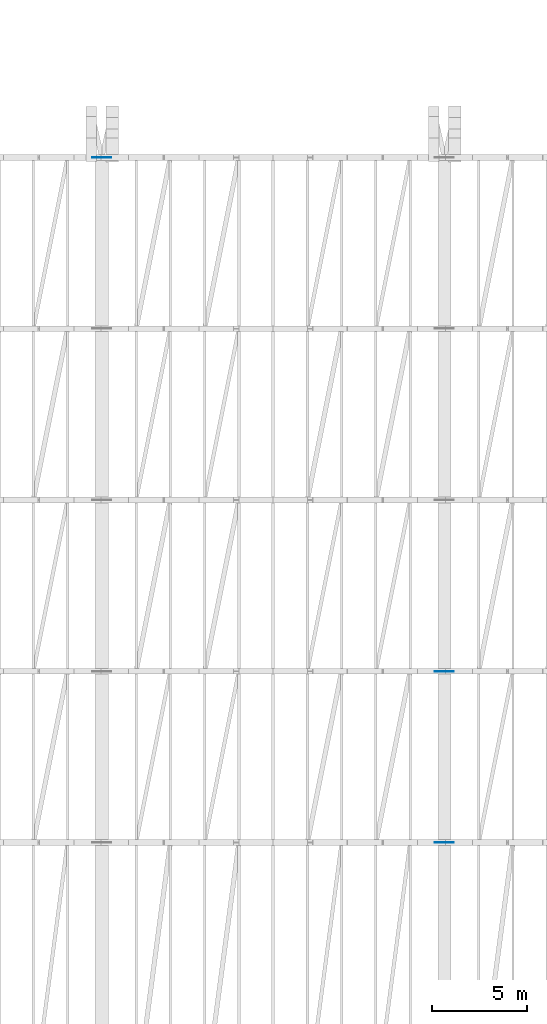
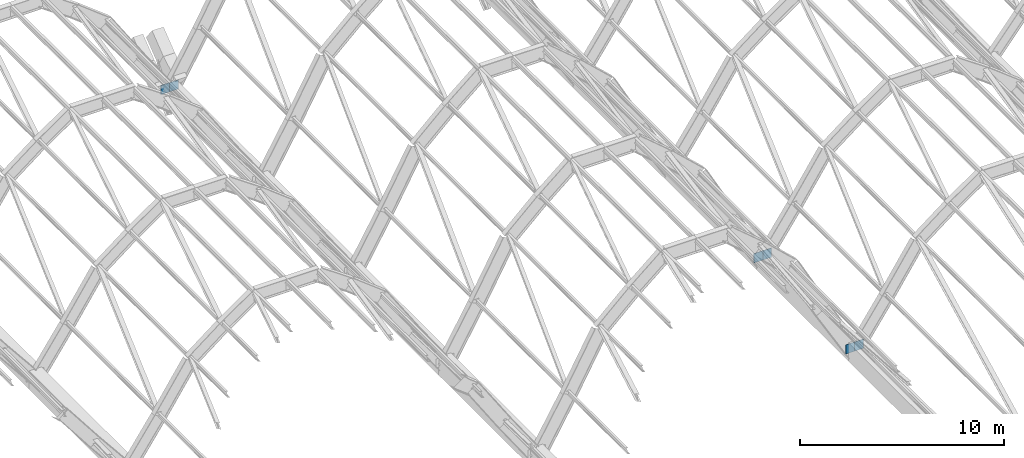
# One storey, part 72 of 86: 6 plates.
"""IFC4 building model written with IfcOpenShell, lengths in metres."""

from ifc_helpers import new_model, si_unit, direction, frame, origin, origin_2d, place, context, subcontext, project, spatial, rectangle, extrude, material, layer, layer_set, type_object, element, save


model = new_model("IFC4")

# Units and contexts
model_context = context("Model", 3, precision=1e-05, world=origin(), true_north=direction((0.0, 1.0)))
body_context = subcontext(model_context, "Body", "Model", "MODEL_VIEW")
ifc_project = project(units=[si_unit("LENGTHUNIT", "METRE"), si_unit("AREAUNIT", "SQUARE_METRE"), si_unit("VOLUMEUNIT", "CUBIC_METRE"), si_unit("PLANEANGLEUNIT", "RADIAN"), si_unit("MASSUNIT", "GRAM", prefix="KILO")], contexts=[model_context])

# Site, building, storey
site_placement = place(None, origin())
site = spatial("IfcSite", under=ifc_project, at=site_placement, CompositionType="ELEMENT")
building_placement = place(site_placement, origin())
building = spatial("IfcBuilding", under=site, at=building_placement, Name="Chuanluo Vaults Station", CompositionType="ELEMENT")
storey_placement = place(building_placement, frame((0.0, 0.0, 14.39990234375)))
storey = spatial("IfcBuildingStorey", under=building, at=storey_placement, Name="L03", CompositionType="ELEMENT", Elevation=14.39990234375)

# Plates
ifc_material = material(Name="Steel Q390C", Category="steel")
ifc_layer = layer(ifc_material, 0.028076171875)
ifc_layer_set = layer_set([ifc_layer], Name="Steel Q390C")
plate_type = type_object("IfcPlateType", Name="PLT-GUS-28", PredefinedType="USERDEFINED", material=ifc_layer_set)
for number, where, z_axis, x_axis, name in (
    (1, (53.75, 103.5, -0.875), (0.0, 0.0, 1.0), (1.0, 0.0, 0.0), "Vault V3 skewback node plate 9-E"),
    (2, (71.75, 67.5, -0.875), (0.0, 0.0, 1.0), (1.0, 0.0, 0.0), "Vault V4 skewback node plate 5-E"),
    (3, (71.75, 76.5, -0.875), (0.0, 0.0, 1.0), (1.0, 0.0, 0.0), "Vault V4 skewback node plate 6-E"),
    (4, (54.25, 103.5, -0.875), (0.0, 0.0, 1.0), (1.0, 0.0, 0.0), "Vault V4 skewback node plate 9-W"),
    (5, (72.25, 67.5, -0.875), (0.0, 0.0, 1.0), (1.0, 0.0, 0.0), "Vault V5 skewback node plate 5-W"),
    (6, (72.25, 76.5, -0.875), (0.0, 0.0, 1.0), (1.0, 0.0, 0.0), "Vault V5 skewback node plate 6-W"),
):
    element("IfcPlate", number, at=place(storey_placement, frame(where, z_axis=z_axis, x_axis=x_axis)), inside=storey, type_object=plate_type, Name=name, ObjectType="GUSSET_PLATE", PredefinedType="USERDEFINED", context=body_context, shape_type="SweptSolid", body=[
        extrude(rectangle(XDim=0.5, YDim=0.028076171875, at=origin_2d()), origin(), (0.0, 0.0, 1.0), 0.550048828125),
    ])

save(model, "model.ifc")
